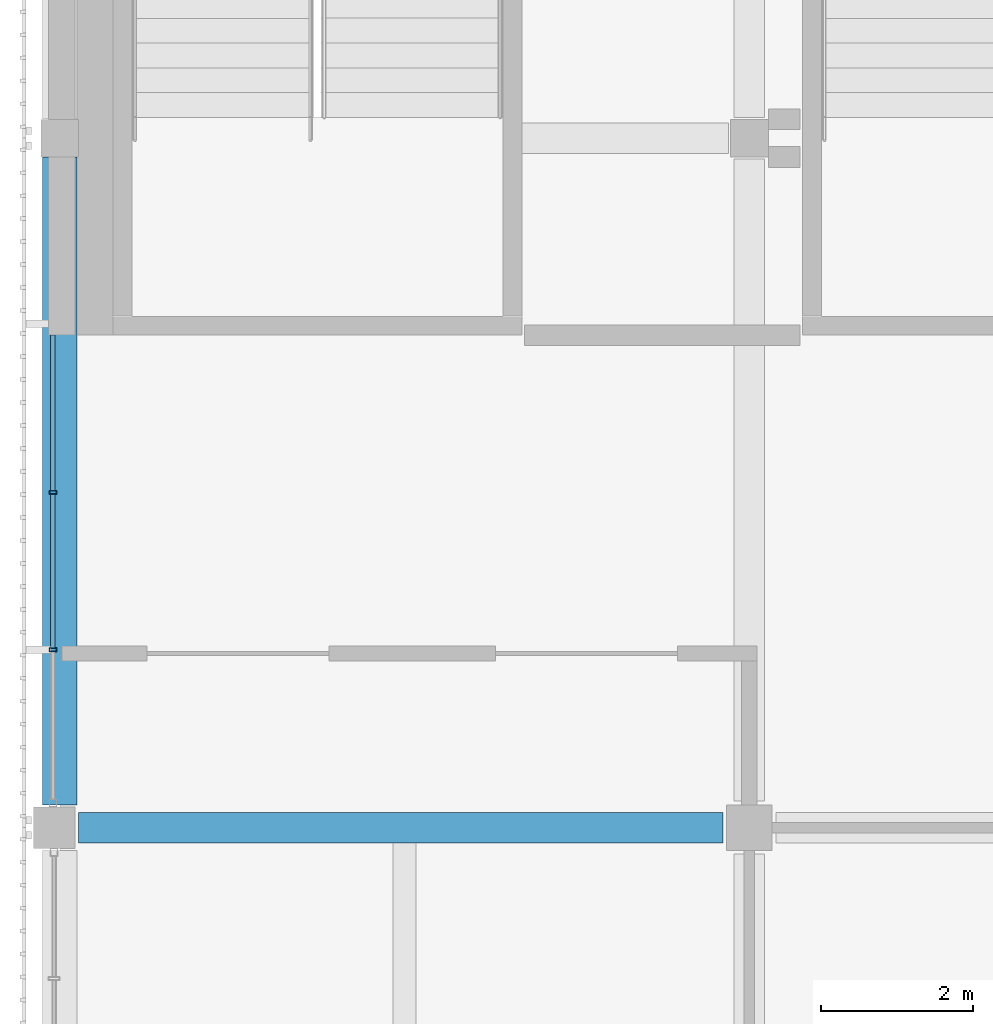
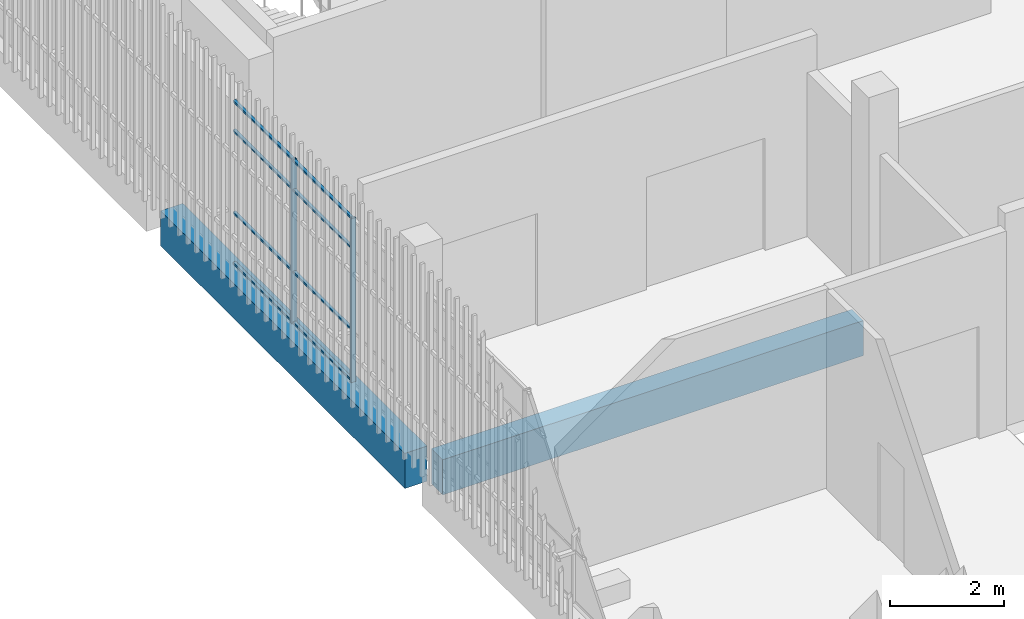
# One storey, part 30 of 124: 10 members, 2 beams, 1 element without a shape of its own.
"""IFC4 building model written with IfcOpenShell, lengths in metres."""

from ifc_helpers import new_model, si_unit, direction, frame, origin, origin_2d, place, context, subcontext, project, spatial, rectangle, hollow_rectangle, extrude, material, layer, layer_set, material_profile, profile_set, type_object, element, aggregate, save


model = new_model("IFC4")

# Units and contexts
model_context = context("Model", 3, precision=1e-05, world=origin(), true_north=direction((0.0, 1.0)))
body_context = subcontext(model_context, "Body", "Model", "MODEL_VIEW")
ifc_project = project(units=[si_unit("LENGTHUNIT", "METRE"), si_unit("AREAUNIT", "SQUARE_METRE"), si_unit("VOLUMEUNIT", "CUBIC_METRE"), si_unit("PLANEANGLEUNIT", "RADIAN"), si_unit("MASSUNIT", "GRAM", prefix="KILO")], contexts=[model_context])

# Site, building, storey
site_placement = place(None, origin())
site = spatial("IfcSite", under=ifc_project, at=site_placement, CompositionType="ELEMENT")
building_placement = place(site_placement, origin())
building = spatial("IfcBuilding", under=site, at=building_placement, Name="Shirokan Park Arena", CompositionType="ELEMENT")
storey_placement = place(building_placement, frame((0.0, 0.0, 20.02001953125)))
storey = spatial("IfcBuildingStorey", under=building, at=storey_placement, Name="L04", CompositionType="ELEMENT", Elevation=20.02001953125)

# Curtain wall, members
ifc_material_1 = material(Name="Steel and glass curtain wall", Category="steel")
ifc_layer = layer(ifc_material_1, 0.1201171875)
ifc_layer_set = layer_set([ifc_layer], Name="Steel and glass curtain wall 120 mm")
curtain_wall_type = type_object("IfcCurtainWallType", Name="Curtain wall corner block side bay 120", PredefinedType="NOTDEFINED", material=ifc_layer_set)
curtain_wall_placement = place(storey_placement, origin())
curtain_wall = element("IfcCurtainWall", 1, at=curtain_wall_placement, inside=storey, type_object=curtain_wall_type, Name="Curtain wall west bay 4 L04", PredefinedType="NOTDEFINED")
ifc_material_2 = material(Name="Steel S355", Category="steel")
ifc_material_profile_1 = material_profile(ifc_material_2, hollow_rectangle(XDim=0.10009765625, YDim=0.050048828125, WallThickness=0.0048828125, at=origin_2d()), Name="RHS 100x50x5")
ifc_profile_set_1 = profile_set([ifc_material_profile_1], Name="Steel S355")
member_type_1 = type_object("IfcMemberType", Name="Mullion RHS 100x50x5", PredefinedType="MULLION", material=ifc_profile_set_1)
member_1_placement = place(storey_placement, frame((-0.090087890625, 77.22509765625, 0.0), z_axis=(0.0, 0.0, 1.0), x_axis=(1.0, 0.0, 0.0)))
member_1 = element("IfcMember", 2, at=member_1_placement, type_object=member_type_1, Name="CW3 mullion 2", PredefinedType="MULLION", context=body_context, shape_type="SweptSolid", body=[
    extrude(hollow_rectangle(XDim=0.10009765625, YDim=0.050048828125, WallThickness=0.0048828125, at=origin_2d()), origin(), (0.0, 0.0, 1.0), 3.5),
])
member_2_placement = place(storey_placement, frame((-0.090087890625, 75.14990234375, 0.0), z_axis=(0.0, 0.0, 1.0), x_axis=(1.0, 0.0, 0.0)))
member_2 = element("IfcMember", 3, at=member_2_placement, type_object=member_type_1, Name="CW3 mullion 3", PredefinedType="MULLION", context=body_context, shape_type="SweptSolid", body=[
    extrude(hollow_rectangle(XDim=0.10009765625, YDim=0.050048828125, WallThickness=0.0048828125, at=origin_2d()), origin(), (0.0, 0.0, 1.0), 3.5),
])

# Beams
ifc_material_3 = material(Name="Concrete C35", Category="concrete")
ifc_material_profile_2 = material_profile(ifc_material_3, rectangle(XDim=0.39990234375, YDim=0.75, at=origin_2d()), Name="400x750")
ifc_profile_set_2 = profile_set([ifc_material_profile_2], Name="Concrete C35")
beam_type_1 = type_object("IfcBeamType", Name="RC girder 400x750", PredefinedType="BEAM", material=ifc_profile_set_2)
beam_1_placement = place(storey_placement, frame((0.25, 72.800048828125, -0.625), z_axis=(1.0, 0.0, 0.0), x_axis=(0.0, 1.0, 0.0)))
element("IfcBeam", 4, at=beam_1_placement, inside=storey, type_object=beam_type_1, Name="Girder 1J-2J L04", PredefinedType="BEAM", context=body_context, shape_type="SweptSolid", body=[
    extrude(rectangle(XDim=0.39990234375, YDim=0.75, at=origin_2d()), origin(), (0.0, 0.0, 1.0), 8.5),
])
ifc_material_profile_3 = material_profile(ifc_material_3, rectangle(XDim=0.449951171875, YDim=0.75, at=origin_2d()), Name="450x750")
ifc_profile_set_3 = profile_set([ifc_material_profile_3], Name="Concrete C35")
beam_type_2 = type_object("IfcBeamType", Name="RC girder 450x750", PredefinedType="BEAM", material=ifc_profile_set_3)
beam_2_placement = place(storey_placement, frame((0.0, 73.10009765625, -0.625), z_axis=(0.0, 1.0, 0.0), x_axis=(-1.0, 0.0, 0.0)))
element("IfcBeam", 5, at=beam_2_placement, inside=storey, type_object=beam_type_2, Name="Girder 1J-1K L04", PredefinedType="BEAM", context=body_context, shape_type="SweptSolid", body=[
    extrude(rectangle(XDim=0.449951171875, YDim=0.75, at=origin_2d()), origin(), (0.0, 0.0, 1.0), 8.5498046875),
])

# Member
ifc_material_profile_4 = material_profile(ifc_material_2, hollow_rectangle(XDim=0.06005859375, YDim=0.0400390625, WallThickness=0.00390625, at=origin_2d()), Name="RHS 60x40x4")
ifc_profile_set_4 = profile_set([ifc_material_profile_4], Name="Steel S355")
member_type_2 = type_object("IfcMemberType", Name="Transom RHS 60x40x4", PredefinedType="MULLION", material=ifc_profile_set_4)
member_3_placement = place(storey_placement, frame((-0.090087890625, 79.300048828125, 0.02001953125), z_axis=(0.0, -1.0, 0.0), x_axis=(1.0, 0.0, 0.0)))
member_3 = element("IfcMember", 6, at=member_3_placement, type_object=member_type_2, Name="CW3 transom 1.1", PredefinedType="MULLION", context=body_context, shape_type="SweptSolid", body=[
    extrude(hollow_rectangle(XDim=0.06005859375, YDim=0.0400390625, WallThickness=0.00390625, at=origin_2d()), origin(), (0.0, 0.0, 1.0), 2.050048828125),
])

member_4_placement = place(storey_placement, frame((-0.090087890625, 79.300048828125, 1.10009765625), z_axis=(0.0, -1.0, 0.0), x_axis=(1.0, 0.0, 0.0)))
member_4 = element("IfcMember", 7, at=member_4_placement, type_object=member_type_2, Name="CW3 transom 1.2", PredefinedType="MULLION", context=body_context, shape_type="SweptSolid", body=[
    extrude(hollow_rectangle(XDim=0.06005859375, YDim=0.0400390625, WallThickness=0.00390625, at=origin_2d()), origin(), (0.0, 0.0, 1.0), 2.050048828125),
])

member_5_placement = place(storey_placement, frame((-0.090087890625, 79.300048828125, 2.85009765625), z_axis=(0.0, -1.0, 0.0), x_axis=(1.0, 0.0, 0.0)))
member_5 = element("IfcMember", 8, at=member_5_placement, type_object=member_type_2, Name="CW3 transom 1.3", PredefinedType="MULLION", context=body_context, shape_type="SweptSolid", body=[
    extrude(hollow_rectangle(XDim=0.06005859375, YDim=0.0400390625, WallThickness=0.00390625, at=origin_2d()), origin(), (0.0, 0.0, 1.0), 2.050048828125),
])

member_6_placement = place(storey_placement, frame((-0.090087890625, 79.300048828125, 3.47998046875), z_axis=(0.0, -1.0, 0.0), x_axis=(1.0, 0.0, 0.0)))
member_6 = element("IfcMember", 9, at=member_6_placement, type_object=member_type_2, Name="CW3 transom 1.4", PredefinedType="MULLION", context=body_context, shape_type="SweptSolid", body=[
    extrude(hollow_rectangle(XDim=0.06005859375, YDim=0.0400390625, WallThickness=0.00390625, at=origin_2d()), origin(), (0.0, 0.0, 1.0), 2.050048828125),
])

member_7_placement = place(storey_placement, frame((-0.090087890625, 77.199951171875, 0.02001953125), z_axis=(0.0, -1.0, 0.0), x_axis=(1.0, 0.0, 0.0)))
member_7 = element("IfcMember", 10, at=member_7_placement, type_object=member_type_2, Name="CW3 transom 2.1", PredefinedType="MULLION", context=body_context, shape_type="SweptSolid", body=[
    extrude(hollow_rectangle(XDim=0.06005859375, YDim=0.0400390625, WallThickness=0.00390625, at=origin_2d()), origin(), (0.0, 0.0, 1.0), 2.02490234375),
])

member_8_placement = place(storey_placement, frame((-0.090087890625, 77.199951171875, 1.10009765625), z_axis=(0.0, -1.0, 0.0), x_axis=(1.0, 0.0, 0.0)))
member_8 = element("IfcMember", 11, at=member_8_placement, type_object=member_type_2, Name="CW3 transom 2.2", PredefinedType="MULLION", context=body_context, shape_type="SweptSolid", body=[
    extrude(hollow_rectangle(XDim=0.06005859375, YDim=0.0400390625, WallThickness=0.00390625, at=origin_2d()), origin(), (0.0, 0.0, 1.0), 2.02490234375),
])

member_9_placement = place(storey_placement, frame((-0.090087890625, 77.199951171875, 2.85009765625), z_axis=(0.0, -1.0, 0.0), x_axis=(1.0, 0.0, 0.0)))
member_9 = element("IfcMember", 12, at=member_9_placement, type_object=member_type_2, Name="CW3 transom 2.3", PredefinedType="MULLION", context=body_context, shape_type="SweptSolid", body=[
    extrude(hollow_rectangle(XDim=0.06005859375, YDim=0.0400390625, WallThickness=0.00390625, at=origin_2d()), origin(), (0.0, 0.0, 1.0), 2.02490234375),
])

member_10_placement = place(storey_placement, frame((-0.090087890625, 77.199951171875, 3.47998046875), z_axis=(0.0, -1.0, 0.0), x_axis=(1.0, 0.0, 0.0)))
member_10 = element("IfcMember", 13, at=member_10_placement, type_object=member_type_2, Name="CW3 transom 2.4", PredefinedType="MULLION", context=body_context, shape_type="SweptSolid", body=[
    extrude(hollow_rectangle(XDim=0.06005859375, YDim=0.0400390625, WallThickness=0.00390625, at=origin_2d()), origin(), (0.0, 0.0, 1.0), 2.02490234375),
])

aggregate(curtain_wall, [member_1, member_2, member_3, member_4, member_5, member_6, member_7, member_8, member_9, member_10])

save(model, "model.ifc")
